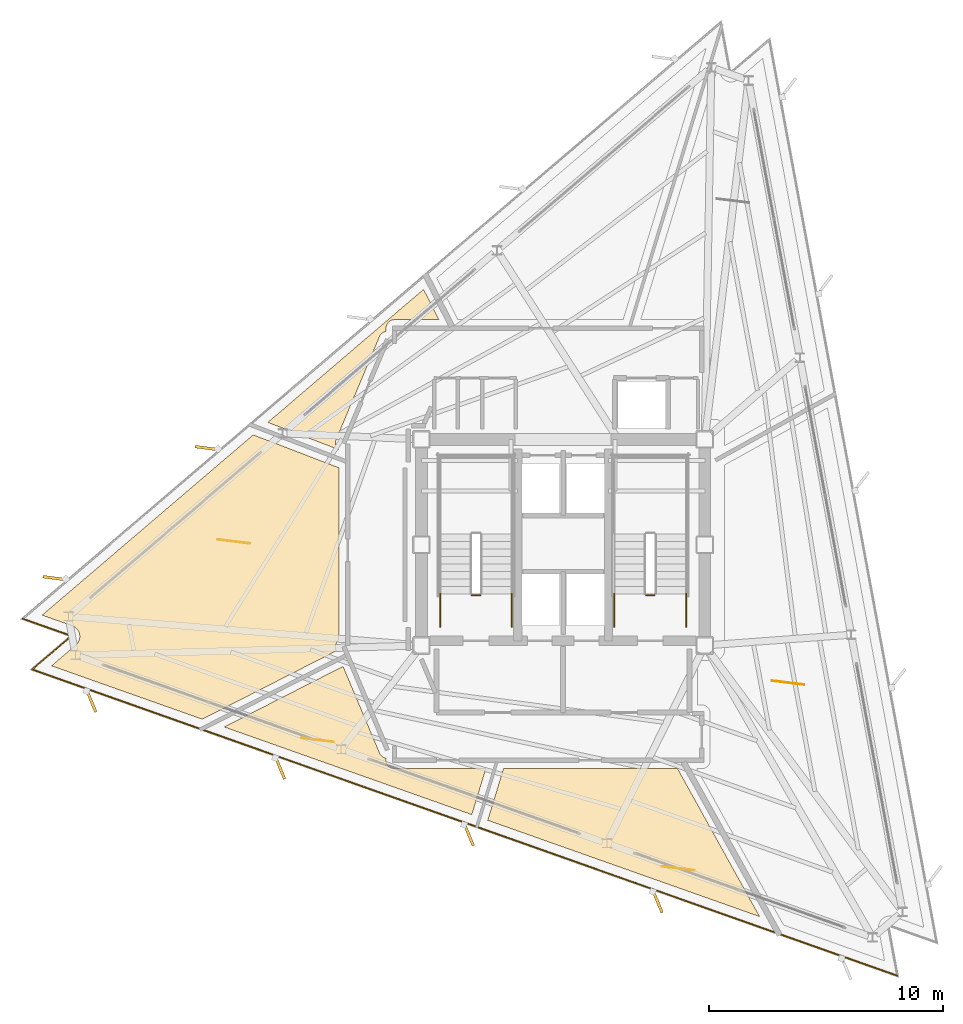
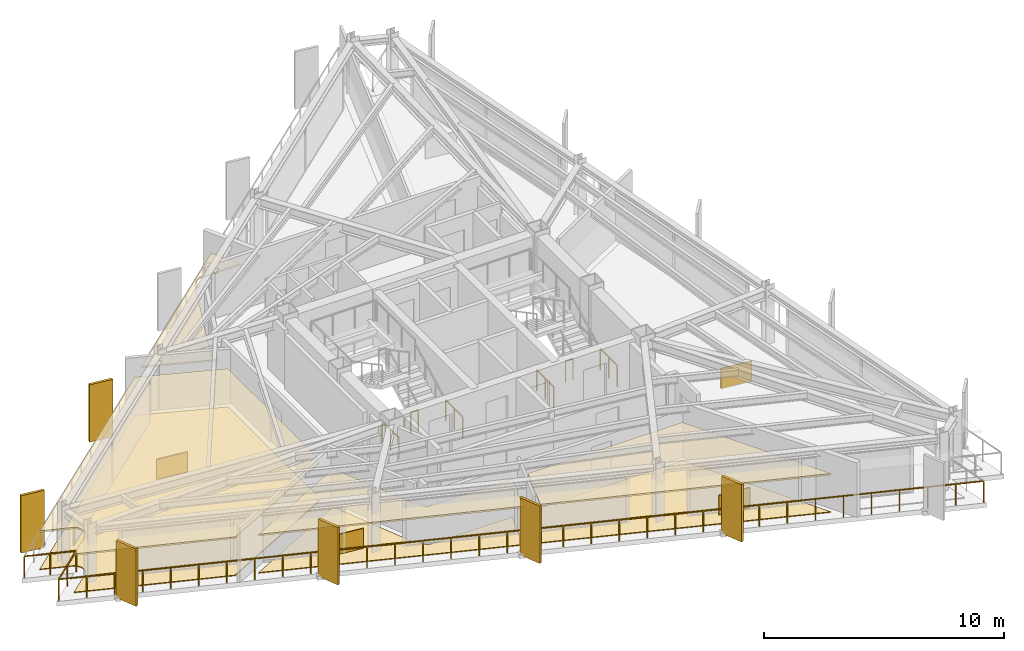
# One storey, part 11 of 14: 11 coverings, 7 railings, 6 shading devices.
"""IFC4 building model written with IfcOpenShell, lengths in metres."""

from ifc_helpers import new_model, si_unit, direction, frame, origin, origin_2d, place, context, subcontext, project, spatial, polyline, rectangle, outline, extrude, material, layer, layer_set, type_object, element, save


model = new_model("IFC4")

# Units and contexts
model_context = context("Model", 3, precision=1e-05, world=origin(), true_north=direction((0.0, 1.0)))
body_context = subcontext(model_context, "Body", "Model", "MODEL_VIEW")
ifc_project = project(units=[si_unit("LENGTHUNIT", "METRE"), si_unit("AREAUNIT", "SQUARE_METRE"), si_unit("VOLUMEUNIT", "CUBIC_METRE"), si_unit("PLANEANGLEUNIT", "RADIAN"), si_unit("MASSUNIT", "GRAM", prefix="KILO")], contexts=[model_context])

# Site, building, storey
site_placement = place(None, origin())
site = spatial("IfcSite", under=ifc_project, at=site_placement, CompositionType="ELEMENT")
building_placement = place(site_placement, origin())
building = spatial("IfcBuilding", under=site, at=building_placement, Name="Rocaltana Carrier Exchange", CompositionType="ELEMENT")
storey_placement = place(building_placement, frame((0.0, 0.0, 181.43994140625)))
storey = spatial("IfcBuildingStorey", under=building, at=storey_placement, Name="L57", CompositionType="ELEMENT", Elevation=181.43994140625)

# Coverings
ifc_material_1 = material(Name="Honed Bogota Sandstone Tile", Category="masonry")
ifc_layer_1 = layer(ifc_material_1, 0.0400390625)
ifc_layer_set_1 = layer_set([ifc_layer_1], Name="Honed Bogota Sandstone Tile")
covering_type_1 = type_object("IfcCoveringType", Name="Honed Stone Lobby Flooring 40", PredefinedType="FLOORING", material=ifc_layer_set_1)
covering_1_placement = place(storey_placement, origin())
element("IfcCovering", 1, at=covering_1_placement, inside=storey, type_object=covering_type_1, Name="L57 Client Reception Foyer Finish Floor", PredefinedType="FLOORING", context=body_context, shape_type="SweptSolid", body=[
    extrude(outline(polyline([(-20.80615234375, -4.279052734375), (-20.795654296875, -4.269775390625), (-20.78125, -4.256103515625), (-20.761962890625, -4.23583984375), (-20.748779296875, -4.220703125), (-20.731689453125, -4.19873046875), (-20.72021484375, -4.1826171875), (-20.705078125, -4.158935546875), (-20.6953125, -4.1416015625), (-20.682861328125, -4.11669921875), (-20.6748046875, -4.098388671875), (-20.664794921875, -4.072265625), (-20.65869140625, -4.053466796875), (-20.6513671875, -4.0263671875), (-20.64697265625, -4.0068359375), (-20.642333984375, -3.9794921875), (-20.64013671875, -3.959716796875), (-20.63818359375, -3.931884765625), (-20.637939453125, -3.911865234375), (-20.638916015625, -3.8837890625), (-20.640625, -3.864013671875), (-20.644287109375, -3.83642578125), (-20.64794921875, -3.81689453125), (-20.654296875, -3.78955078125), (-20.659912109375, -3.7705078125), (-20.6689453125, -3.744140625), (-20.676513671875, -3.7255859375), (-20.688232421875, -3.7001953125), (-20.697509765625, -3.6826171875), (-20.711669921875, -3.658447265625), (-20.72265625, -3.641845703125), (-20.739013671875, -3.619384765625), (-20.751708984375, -3.60400390625), (-20.770263671875, -3.5830078125), (-20.7841796875, -3.569091796875), (-20.804931640625, -3.55029296875), (-20.8203125, -3.53759765625), (-20.8427734375, -3.520751953125), (-20.859375, -3.509765625), (-20.88330078125, -3.495361328125), (-20.90087890625, -3.486083984375), (-20.926025390625, -3.47412109375), (-20.944580078125, -3.466552734375), (-20.95751953125, -3.46142578125), (-22.247802734375, -3.004638671875), (-13.2333984375, 4.694091796875), (-9.56005859375, 3.2841796875), (-9.56005859375, -4.052001953125), (-9.57177734375, -4.06005859375), (-9.578125, -4.064697265625), (-9.59912109375, -4.082275390625), (-9.60498046875, -4.087646484375), (-9.624267578125, -4.107177734375), (-9.629638671875, -4.113037109375), (-9.64697265625, -4.134521484375), (-9.651611328125, -4.140625), (-9.666748046875, -4.16357421875), (-9.670654296875, -4.17041015625), (-9.68359375, -4.194580078125), (-9.686767578125, -4.201904296875), (-9.697265625, -4.227294921875), (-9.69970703125, -4.234619140625), (-9.70751953125, -4.260986328125), (-9.70947265625, -4.2685546875), (-9.714599609375, -4.295654296875), (-9.7158203125, -4.30322265625), (-9.718505859375, -4.330810546875), (-9.71875, -4.33837890625), (-9.718505859375, -4.365966796875), (-9.71826171875, -4.373779296875), (-9.71533203125, -4.401123046875), (-9.714111328125, -4.408935546875), (-9.70849609375, -4.435791015625), (-9.706787109375, -4.443603515625), (-9.698486328125, -4.4697265625), (-9.69580078125, -4.47705078125), (-9.69091796875, -4.489990234375), (-9.67578125, -4.52587890625), (-15.4091796875, -7.447509765625), (-21.8466796875, -5.167724609375), (-20.80615234375, -4.279052734375)])), origin(), (0.0, 0.0, 1.0), 0.0400390625),
])
covering_2_placement = place(storey_placement, origin())
element("IfcCovering", 2, at=covering_2_placement, inside=storey, type_object=covering_type_1, Name="L57 Staff Break Pantry Finish Floor", PredefinedType="FLOORING", context=body_context, shape_type="SweptSolid", body=[
    extrude(outline(polyline([(-14.4736328125, -7.77880859375), (-9.39599609375, -5.19140625), (-7.8408203125, -8.889892578125), (-7.835205078125, -8.90234375), (-7.831787109375, -8.909423828125), (-7.818603515625, -8.93359375), (-7.814697265625, -8.9404296875), (-7.79931640625, -8.963134765625), (-7.794677734375, -8.969482421875), (-7.777099609375, -8.990478515625), (-7.771728515625, -8.996337890625), (-7.752197265625, -9.015625), (-7.746337890625, -9.02099609375), (-7.72509765625, -9.038330078125), (-7.71875, -9.04296875), (-7.69580078125, -9.05810546875), (-7.68896484375, -9.06201171875), (-7.664794921875, -9.074951171875), (-7.65771484375, -9.078125), (-7.632080078125, -9.088623046875), (-7.624755859375, -9.09130859375), (-7.598388671875, -9.09912109375), (-7.5908203125, -9.100830078125), (-7.563720703125, -9.106201171875), (-7.56005859375, -9.106689453125), (-7.56005859375, -9.199951171875), (-7.559814453125, -9.213623046875), (-7.559326171875, -9.2216796875), (-7.556640625, -9.248779296875), (-7.555419921875, -9.256591796875), (-7.550048828125, -9.28369140625), (-7.548095703125, -9.291259765625), (-7.540283203125, -9.317626953125), (-7.53759765625, -9.324951171875), (-7.527099609375, -9.350341796875), (-7.523681640625, -9.357421875), (-7.5107421875, -9.381591796875), (-7.506591796875, -9.388427734375), (-7.491455078125, -9.4111328125), (-7.48681640625, -9.41748046875), (-7.46923828125, -9.438720703125), (-7.464111328125, -9.444580078125), (-7.444580078125, -9.464111328125), (-7.438720703125, -9.46923828125), (-7.41748046875, -9.48681640625), (-7.4111328125, -9.491455078125), (-7.388427734375, -9.506591796875), (-7.381591796875, -9.5107421875), (-7.357421875, -9.523681640625), (-7.350341796875, -9.527099609375), (-7.324951171875, -9.53759765625), (-7.317626953125, -9.540283203125), (-7.291259765625, -9.548095703125), (-7.28369140625, -9.550048828125), (-7.256591796875, -9.555419921875), (-7.248779296875, -9.556640625), (-7.2216796875, -9.559326171875), (-7.213623046875, -9.559814453125), (-7.199951171875, -9.56005859375), (-3.29931640625, -9.56005859375), (-3.8994140625, -11.523193359375), (-14.4736328125, -7.77880859375)])), origin(), (0.0, 0.0, 1.0), 0.0400390625),
])
covering_3_placement = place(storey_placement, origin())
element("IfcCovering", 3, at=covering_3_placement, inside=storey, type_object=covering_type_1, Name="L57 Client Reception Foyer Finish Floor", PredefinedType="FLOORING", context=body_context, shape_type="SweptSolid", body=[
    extrude(outline(polyline([(-3.22021484375, -11.763916015625), (-2.54638671875, -9.56005859375), (4.8876953125, -9.56005859375), (8.3876953125, -15.874267578125), (-3.22021484375, -11.763916015625)])), origin(), (0.0, 0.0, 1.0), 0.0400390625),
])
ifc_material_2 = material(Name="Anodised Aluminium 6063-T6", Category="aluminium")
ifc_layer_2 = layer(ifc_material_2, 0.0849609375)
ifc_layer_set_2 = layer_set([ifc_layer_2], Name="Anodised Aluminium 6063-T6")
covering_type_2 = type_object("IfcCoveringType", Name="Linear Baffle Acoustic Ceiling 85", PredefinedType="CEILING", material=ifc_layer_set_2)
covering_4_placement = place(storey_placement, frame((0.0, 0.0, 1.903076171875)))
element("IfcCovering", 4, at=covering_4_placement, inside=storey, type_object=covering_type_2, Name="L57 Client Reception Foyer Acoustic Ceiling", PredefinedType="CEILING", context=body_context, shape_type="SweptSolid", body=[
    extrude(outline(polyline([(-20.80615234375, -4.279052734375), (-20.795654296875, -4.269775390625), (-20.78125, -4.256103515625), (-20.761962890625, -4.23583984375), (-20.748779296875, -4.220703125), (-20.731689453125, -4.19873046875), (-20.72021484375, -4.1826171875), (-20.705078125, -4.158935546875), (-20.6953125, -4.1416015625), (-20.682861328125, -4.11669921875), (-20.6748046875, -4.098388671875), (-20.664794921875, -4.072265625), (-20.65869140625, -4.053466796875), (-20.6513671875, -4.0263671875), (-20.64697265625, -4.0068359375), (-20.642333984375, -3.9794921875), (-20.64013671875, -3.959716796875), (-20.63818359375, -3.931884765625), (-20.637939453125, -3.911865234375), (-20.638916015625, -3.8837890625), (-20.640625, -3.864013671875), (-20.644287109375, -3.83642578125), (-20.64794921875, -3.81689453125), (-20.654296875, -3.78955078125), (-20.659912109375, -3.7705078125), (-20.6689453125, -3.744140625), (-20.676513671875, -3.7255859375), (-20.688232421875, -3.7001953125), (-20.697509765625, -3.6826171875), (-20.711669921875, -3.658447265625), (-20.72265625, -3.641845703125), (-20.739013671875, -3.619384765625), (-20.751708984375, -3.60400390625), (-20.770263671875, -3.5830078125), (-20.7841796875, -3.569091796875), (-20.804931640625, -3.55029296875), (-20.8203125, -3.53759765625), (-20.8427734375, -3.520751953125), (-20.859375, -3.509765625), (-20.88330078125, -3.495361328125), (-20.90087890625, -3.486083984375), (-20.926025390625, -3.47412109375), (-20.944580078125, -3.466552734375), (-20.95751953125, -3.46142578125), (-22.247802734375, -3.004638671875), (-13.2333984375, 4.694091796875), (-9.56005859375, 3.2841796875), (-9.56005859375, -4.052001953125), (-9.57177734375, -4.06005859375), (-9.578125, -4.064697265625), (-9.59912109375, -4.082275390625), (-9.60498046875, -4.087646484375), (-9.624267578125, -4.107177734375), (-9.629638671875, -4.113037109375), (-9.64697265625, -4.134521484375), (-9.651611328125, -4.140625), (-9.666748046875, -4.16357421875), (-9.670654296875, -4.17041015625), (-9.68359375, -4.194580078125), (-9.686767578125, -4.201904296875), (-9.697265625, -4.227294921875), (-9.69970703125, -4.234619140625), (-9.70751953125, -4.260986328125), (-9.70947265625, -4.2685546875), (-9.714599609375, -4.295654296875), (-9.7158203125, -4.30322265625), (-9.718505859375, -4.330810546875), (-9.71875, -4.33837890625), (-9.718505859375, -4.365966796875), (-9.71826171875, -4.373779296875), (-9.71533203125, -4.401123046875), (-9.714111328125, -4.408935546875), (-9.70849609375, -4.435791015625), (-9.706787109375, -4.443603515625), (-9.698486328125, -4.4697265625), (-9.69580078125, -4.47705078125), (-9.69091796875, -4.489990234375), (-9.67578125, -4.52587890625), (-15.4091796875, -7.447509765625), (-21.8466796875, -5.167724609375), (-20.80615234375, -4.279052734375)])), origin(), (0.0, 0.0, 1.0), 0.0849609375),
])
covering_5_placement = place(storey_placement, frame((0.0, 0.0, 1.903076171875)))
element("IfcCovering", 5, at=covering_5_placement, inside=storey, type_object=covering_type_2, Name="L57 Staff Break Pantry Acoustic Ceiling", PredefinedType="CEILING", context=body_context, shape_type="SweptSolid", body=[
    extrude(outline(polyline([(-14.4736328125, -7.77880859375), (-9.39599609375, -5.19140625), (-7.8408203125, -8.889892578125), (-7.835205078125, -8.90234375), (-7.831787109375, -8.909423828125), (-7.818603515625, -8.93359375), (-7.814697265625, -8.9404296875), (-7.79931640625, -8.963134765625), (-7.794677734375, -8.969482421875), (-7.777099609375, -8.990478515625), (-7.771728515625, -8.996337890625), (-7.752197265625, -9.015625), (-7.746337890625, -9.02099609375), (-7.72509765625, -9.038330078125), (-7.71875, -9.04296875), (-7.69580078125, -9.05810546875), (-7.68896484375, -9.06201171875), (-7.664794921875, -9.074951171875), (-7.65771484375, -9.078125), (-7.632080078125, -9.088623046875), (-7.624755859375, -9.09130859375), (-7.598388671875, -9.09912109375), (-7.5908203125, -9.100830078125), (-7.563720703125, -9.106201171875), (-7.56005859375, -9.106689453125), (-7.56005859375, -9.199951171875), (-7.559814453125, -9.213623046875), (-7.559326171875, -9.2216796875), (-7.556640625, -9.248779296875), (-7.555419921875, -9.256591796875), (-7.550048828125, -9.28369140625), (-7.548095703125, -9.291259765625), (-7.540283203125, -9.317626953125), (-7.53759765625, -9.324951171875), (-7.527099609375, -9.350341796875), (-7.523681640625, -9.357421875), (-7.5107421875, -9.381591796875), (-7.506591796875, -9.388427734375), (-7.491455078125, -9.4111328125), (-7.48681640625, -9.41748046875), (-7.46923828125, -9.438720703125), (-7.464111328125, -9.444580078125), (-7.444580078125, -9.464111328125), (-7.438720703125, -9.46923828125), (-7.41748046875, -9.48681640625), (-7.4111328125, -9.491455078125), (-7.388427734375, -9.506591796875), (-7.381591796875, -9.5107421875), (-7.357421875, -9.523681640625), (-7.350341796875, -9.527099609375), (-7.324951171875, -9.53759765625), (-7.317626953125, -9.540283203125), (-7.291259765625, -9.548095703125), (-7.28369140625, -9.550048828125), (-7.256591796875, -9.555419921875), (-7.248779296875, -9.556640625), (-7.2216796875, -9.559326171875), (-7.213623046875, -9.559814453125), (-7.199951171875, -9.56005859375), (-3.29931640625, -9.56005859375), (-3.8994140625, -11.523193359375), (-14.4736328125, -7.77880859375)])), origin(), (0.0, 0.0, 1.0), 0.0849609375),
])
covering_6_placement = place(storey_placement, frame((0.0, 0.0, 1.903076171875)))
element("IfcCovering", 6, at=covering_6_placement, inside=storey, type_object=covering_type_2, Name="L57 Client Reception Foyer Acoustic Ceiling", PredefinedType="CEILING", context=body_context, shape_type="SweptSolid", body=[
    extrude(outline(polyline([(-3.22021484375, -11.763916015625), (-2.54638671875, -9.56005859375), (4.8876953125, -9.56005859375), (8.3876953125, -15.874267578125), (-3.22021484375, -11.763916015625)])), origin(), (0.0, 0.0, 1.0), 0.0849609375),
])
covering_7_placement = place(storey_placement, frame((0.0, 0.0, 1.903076171875)))
element("IfcCovering", 7, at=covering_7_placement, inside=storey, type_object=covering_type_2, Name="L57 Client Reception Foyer Acoustic Ceiling", PredefinedType="CEILING", context=body_context, shape_type="SweptSolid", body=[
    extrude(outline(polyline([(-9.571044921875, 4.0595703125), (-12.610595703125, 5.226318359375), (-5.960693359375, 10.90576171875), (-5.300537109375, 9.610107421875), (-7.199951171875, 9.610107421875), (-7.213623046875, 9.609619140625), (-7.2216796875, 9.609375), (-7.248779296875, 9.606689453125), (-7.256591796875, 9.60546875), (-7.28369140625, 9.60009765625), (-7.291259765625, 9.59814453125), (-7.317626953125, 9.590087890625), (-7.324951171875, 9.58740234375), (-7.350341796875, 9.576904296875), (-7.357421875, 9.57373046875), (-7.381591796875, 9.560791015625), (-7.388427734375, 9.556640625), (-7.4111328125, 9.54150390625), (-7.41748046875, 9.53662109375), (-7.438720703125, 9.519287109375), (-7.444580078125, 9.513916015625), (-7.464111328125, 9.49462890625), (-7.46923828125, 9.48876953125), (-7.48681640625, 9.467529296875), (-7.491455078125, 9.461181640625), (-7.506591796875, 9.4384765625), (-7.5107421875, 9.431640625), (-7.523681640625, 9.407470703125), (-7.527099609375, 9.400390625), (-7.53759765625, 9.375), (-7.540283203125, 9.36767578125), (-7.548095703125, 9.34130859375), (-7.550048828125, 9.33349609375), (-7.555419921875, 9.306640625), (-7.556640625, 9.298828125), (-7.559326171875, 9.271484375), (-7.559814453125, 9.263671875), (-7.56005859375, 9.25), (-7.56005859375, 9.106689453125), (-7.563720703125, 9.106201171875), (-7.5908203125, 9.100830078125), (-7.598388671875, 9.09912109375), (-7.624755859375, 9.09130859375), (-7.632080078125, 9.088623046875), (-7.65771484375, 9.078125), (-7.664794921875, 9.074951171875), (-7.68896484375, 9.06201171875), (-7.69580078125, 9.05810546875), (-7.71875, 9.04296875), (-7.72509765625, 9.038330078125), (-7.746337890625, 9.02099609375), (-7.752197265625, 9.015625), (-7.771728515625, 8.996337890625), (-7.777099609375, 8.990478515625), (-7.794677734375, 8.969482421875), (-7.79931640625, 8.963134765625), (-7.814697265625, 8.9404296875), (-7.818603515625, 8.93359375), (-7.831787109375, 8.909423828125), (-7.835205078125, 8.90234375), (-7.8408203125, 8.889892578125), (-9.69091796875, 4.489990234375), (-9.69580078125, 4.47705078125), (-9.698486328125, 4.4697265625), (-9.706787109375, 4.443603515625), (-9.70849609375, 4.435791015625), (-9.714111328125, 4.408935546875), (-9.71533203125, 4.401123046875), (-9.71826171875, 4.373779296875), (-9.718505859375, 4.365966796875), (-9.71875, 4.33837890625), (-9.718505859375, 4.330810546875), (-9.7158203125, 4.30322265625), (-9.714599609375, 4.295654296875), (-9.70947265625, 4.2685546875), (-9.70751953125, 4.260986328125), (-9.69970703125, 4.234619140625), (-9.697265625, 4.227294921875), (-9.686767578125, 4.201904296875), (-9.68359375, 4.194580078125), (-9.670654296875, 4.17041015625), (-9.666748046875, 4.16357421875), (-9.651611328125, 4.140625), (-9.64697265625, 4.134521484375), (-9.629638671875, 4.113037109375), (-9.624267578125, 4.107177734375), (-9.60498046875, 4.087646484375), (-9.59912109375, 4.082275390625), (-9.578125, 4.064697265625), (-9.57177734375, 4.06005859375), (-9.571044921875, 4.0595703125)])), origin(), (0.0, 0.0, 1.0), 0.0849609375),
])

# Railings
ifc_material_3 = material(Name="Powder-Coated Aluminium 6063-T6", Category="aluminium")
ifc_layer_3 = layer(ifc_material_3, 0.048095703125)
ifc_layer_set_3 = layer_set([ifc_layer_3], Name="Powder-Coated Aluminium 6063-T6")
railing_type_1 = type_object("IfcRailingType", Name="Stair Well Guardrail 1100", PredefinedType="GUARDRAIL", material=ifc_layer_set_3)
railing_1_placement = place(storey_placement, frame((-3.5400390625, -2.14990234375, 0.0)))
element("IfcRailing", 8, at=railing_1_placement, inside=storey, type_object=railing_type_1, Name="L57 ST-1 stair guard 7", PredefinedType="GUARDRAIL", context=body_context, shape_type="SweptSolid", body=[
    extrude(rectangle(XDim=0.048095703125, YDim=0.048095703125, at=origin_2d()), frame((0.0, 0.0, 1.076171875), z_axis=(-1.0, 0.0, 0.0), x_axis=(0.0, -1.0, 0.0)), (0.0, 0.0, 1.0), 0.35986328125),
    extrude(rectangle(XDim=0.0419921875, YDim=0.0419921875, at=origin_2d()), origin(), (0.0, 0.0, 1.0), 1.052001953125),
    extrude(rectangle(XDim=0.0419921875, YDim=0.0419921875, at=origin_2d()), frame((-0.35986328125, 0.0, 0.0)), (0.0, 0.0, 1.0), 1.052001953125),
])
for number, where, name in (
    (9, (-2.18994140625, -3.5, 0.0), "L57 ST-1 stair guard 8"),
    (10, (-5.25, -3.5, 0.0), "L57 ST-1 stair guard 9"),
):
    element("IfcRailing", number, at=place(storey_placement, frame(where)), inside=storey, type_object=railing_type_1, Name=name, PredefinedType="GUARDRAIL", context=body_context, shape_type="SweptSolid", body=[
        extrude(rectangle(XDim=0.048095703125, YDim=0.048095703125, at=origin_2d()), frame((0.0, 0.0, 1.076171875), z_axis=(0.0, 1.0, 0.0), x_axis=(-1.0, 0.0, 0.0)), (0.0, 0.0, 1.0), 1.39990234375),
        extrude(rectangle(XDim=0.0419921875, YDim=0.0419921875, at=origin_2d()), origin(), (0.0, 0.0, 1.0), 1.052001953125),
        extrude(rectangle(XDim=0.0419921875, YDim=0.0419921875, at=origin_2d()), frame((0.0, 0.699951171875, 0.0)), (0.0, 0.0, 1.0), 1.052001953125),
        extrude(rectangle(XDim=0.0419921875, YDim=0.0419921875, at=origin_2d()), frame((0.0, 1.39990234375, 0.0)), (0.0, 0.0, 1.0), 1.052001953125),
    ])
railing_2_placement = place(storey_placement, frame((3.89990234375, -2.14990234375, 0.0)))
element("IfcRailing", 11, at=railing_2_placement, inside=storey, type_object=railing_type_1, Name="L57 ST-2 stair guard 7", PredefinedType="GUARDRAIL", context=body_context, shape_type="SweptSolid", body=[
    extrude(rectangle(XDim=0.048095703125, YDim=0.048095703125, at=origin_2d()), frame((0.0, 0.0, 1.076171875), z_axis=(-1.0, 0.0, 0.0), x_axis=(0.0, -1.0, 0.0)), (0.0, 0.0, 1.0), 0.35986328125),
    extrude(rectangle(XDim=0.0419921875, YDim=0.0419921875, at=origin_2d()), origin(), (0.0, 0.0, 1.0), 1.052001953125),
    extrude(rectangle(XDim=0.0419921875, YDim=0.0419921875, at=origin_2d()), frame((-0.35986328125, 0.0, 0.0)), (0.0, 0.0, 1.0), 1.052001953125),
])
for number, where, name in (
    (12, (5.25, -3.5, 0.0), "L57 ST-2 stair guard 8"),
    (13, (2.18994140625, -3.5, 0.0), "L57 ST-2 stair guard 9"),
):
    element("IfcRailing", number, at=place(storey_placement, frame(where)), inside=storey, type_object=railing_type_1, Name=name, PredefinedType="GUARDRAIL", context=body_context, shape_type="SweptSolid", body=[
        extrude(rectangle(XDim=0.048095703125, YDim=0.048095703125, at=origin_2d()), frame((0.0, 0.0, 1.076171875), z_axis=(0.0, 1.0, 0.0), x_axis=(-1.0, 0.0, 0.0)), (0.0, 0.0, 1.0), 1.39990234375),
        extrude(rectangle(XDim=0.0419921875, YDim=0.0419921875, at=origin_2d()), origin(), (0.0, 0.0, 1.0), 1.052001953125),
        extrude(rectangle(XDim=0.0419921875, YDim=0.0419921875, at=origin_2d()), frame((0.0, 0.699951171875, 0.0)), (0.0, 0.0, 1.0), 1.052001953125),
        extrude(rectangle(XDim=0.0419921875, YDim=0.0419921875, at=origin_2d()), frame((0.0, 1.39990234375, 0.0)), (0.0, 0.0, 1.0), 1.052001953125),
    ])

# Coverings
ifc_material_4 = material(Name="Honed Piedra Muneca Sandstone", Category="masonry")
ifc_layer_4 = layer(ifc_material_4, 0.034912109375)
ifc_layer_set_4 = layer_set([ifc_layer_4], Name="Honed Piedra Muneca Sandstone")
covering_type_3 = type_object("IfcCoveringType", Name="Stone Facade Cladding 35", PredefinedType="CLADDING", material=ifc_layer_set_4)
for number, where, z_axis, x_axis, name in (
    (14, (-14.06298828125, 0.1396484375, 0.0), (0.0, 0.0, 1.0), (-0.992546151641, 0.121869343405, 0.0), "L57 Stone Facade Cladding Panel 1"),
    (15, (-10.489501953125, -8.334228515625, 0.0), (0.0, 0.0, 1.0), (-0.992546151641, 0.121869343405, 0.0), "L57 Stone Facade Cladding Panel 2"),
    (16, (4.916015625, -13.819091796875, 0.0), (0.0, 0.0, 1.0), (-0.992546151641, 0.121869343405, 0.0), "L57 Stone Facade Cladding Panel 3"),
    (17, (9.601318359375, -5.889892578125, 0.0), (0.0, 0.0, 1.0), (-0.992546151641, 0.121869343405, 0.0), "L57 Stone Facade Cladding Panel 4"),
):
    element("IfcCovering", number, at=place(storey_placement, frame(where, z_axis=z_axis, x_axis=x_axis)), inside=storey, type_object=covering_type_3, Name=name, PredefinedType="CLADDING", context=body_context, shape_type="SweptSolid", body=[
        extrude(rectangle(XDim=1.39990234375, YDim=0.034912109375, at=origin_2d()), origin(), (0.0, 0.0, 1.0), 1.050048828125),
    ])

# Shading devices
ifc_material_5 = material(Name="Honed Bogota Sandstone & Concrete C45/55", Category="masonry")
ifc_layer_5 = layer(ifc_material_5, 0.1201171875)
ifc_layer_set_5 = layer_set([ifc_layer_5], Name="Honed Bogota Sandstone & Concrete C45/55")
shading_device_type = type_object("IfcShadingDeviceType", Name="Upper Sandstone Shading Fin 1050x120", PredefinedType="USERDEFINED", material=ifc_layer_set_5)
for number, where, z_axis, x_axis, name in (
    (18, (-15.19384765625, 4.125, -0.119873046875), (0.0, 0.0, 1.0), (-0.991444861374, 0.13052619222, 0.0), "L57 Sandstone Vertical Fin F2-04"),
    (19, (-21.6953125, -1.427734375, -0.119873046875), (0.0, 0.0, 1.0), (-0.991444861374, 0.13052619222, 0.0), "L57 Sandstone Vertical Fin F2-05"),
    (20, (-20.154296875, -6.65869140625, -0.119873046875), (0.0, 0.0, 1.0), (0.382683432365, -0.923879532511, 0.0), "L57 Sandstone Vertical Fin F3-01"),
    (21, (-12.094482421875, -9.5126953125, -0.119873046875), (0.0, 0.0, 1.0), (0.382683432365, -0.923879532511, 0.0), "L57 Sandstone Vertical Fin F3-02"),
    (22, (-4.034912109375, -12.36669921875, -0.119873046875), (0.0, 0.0, 1.0), (0.382683432365, -0.923879532511, 0.0), "L57 Sandstone Vertical Fin F3-03"),
    (23, (4.0244140625, -15.220947265625, -0.119873046875), (0.0, 0.0, 1.0), (0.382683432365, -0.923879532511, 0.0), "L57 Sandstone Vertical Fin F3-04"),
):
    element("IfcShadingDevice", number, at=place(storey_placement, frame(where, z_axis=z_axis, x_axis=x_axis)), inside=storey, type_object=shading_device_type, Name=name, ObjectType="FIN", PredefinedType="USERDEFINED", context=body_context, shape_type="SweptSolid", body=[
        extrude(rectangle(XDim=1.050048828125, YDim=0.1201171875, at=origin_2d()), origin(), (0.0, 0.0, 1.0), 2.91796875),
    ])

# Railing
ifc_material_6 = material(Name="Powder-Coated Aluminium 6063-T6", Category="aluminium")
ifc_layer_6 = layer(ifc_material_6, 0.06005859375)
ifc_layer_set_6 = layer_set([ifc_layer_6], Name="Powder-Coated Aluminium 6063-T6")
railing_type_2 = type_object("IfcRailingType", Name="Wind-Floor & Terrace Perimeter Guardrail 1100", PredefinedType="GUARDRAIL", material=ifc_layer_set_6)
railing_3_placement = place(storey_placement, frame((14.271484375, -18.403564453125, 0.0)))
element("IfcRailing", 24, at=railing_3_placement, inside=storey, type_object=railing_type_2, Name="L57 Perimeter Balcony Guardrail 1", PredefinedType="GUARDRAIL", context=body_context, shape_type="SweptSolid", body=[
    extrude(rectangle(XDim=0.048095703125, YDim=0.048095703125, at=origin_2d()), frame((0.0, 0.0, 1.076171875), z_axis=(-0.94264008911, 0.333810818284, 0.0), x_axis=(-0.333810818284, -0.94264008911, 0.0)), (0.0, 0.0, 1.0), 39.192138671875),
    extrude(rectangle(XDim=0.048095703125, YDim=0.048095703125, at=origin_2d()), frame((-36.944091796875, 13.082763671875, 1.076171875), z_axis=(0.760414781346, 0.649437726275, 0.0), x_axis=(-0.649437726275, 0.760414781346, 0.0)), (0.0, 0.0, 1.0), 2.199951171875),
    extrude(rectangle(XDim=0.048095703125, YDim=0.048095703125, at=origin_2d()), frame((-35.271240234375, 14.511474609375, 1.076171875), z_axis=(-0.942637410797, 0.333818381408, 0.0), x_axis=(-0.333818381408, -0.942637410797, 0.0)), (0.0, 0.0, 1.0), 2.199951171875),
    extrude(rectangle(XDim=0.0419921875, YDim=0.0419921875, at=origin_2d()), origin(), (0.0, 0.0, 1.0), 1.052001953125),
    extrude(rectangle(XDim=0.0419921875, YDim=0.0419921875, at=origin_2d()), frame((-1.11962890625, 0.396484375, 0.0)), (0.0, 0.0, 1.0), 1.052001953125),
    extrude(rectangle(XDim=0.0419921875, YDim=0.0419921875, at=origin_2d()), frame((-2.239013671875, 0.79296875, 0.0)), (0.0, 0.0, 1.0), 1.052001953125),
    extrude(rectangle(XDim=0.0419921875, YDim=0.0419921875, at=origin_2d()), frame((-3.358642578125, 1.189453125, 0.0)), (0.0, 0.0, 1.0), 1.052001953125),
    extrude(rectangle(XDim=0.0419921875, YDim=0.0419921875, at=origin_2d()), frame((-4.47802734375, 1.585693359375, 0.0)), (0.0, 0.0, 1.0), 1.052001953125),
    extrude(rectangle(XDim=0.0419921875, YDim=0.0419921875, at=origin_2d()), frame((-5.59765625, 1.982177734375, 0.0)), (0.0, 0.0, 1.0), 1.052001953125),
    extrude(rectangle(XDim=0.0419921875, YDim=0.0419921875, at=origin_2d()), frame((-6.717041015625, 2.378662109375, 0.0)), (0.0, 0.0, 1.0), 1.052001953125),
    extrude(rectangle(XDim=0.0419921875, YDim=0.0419921875, at=origin_2d()), frame((-7.836669921875, 2.775146484375, 0.0)), (0.0, 0.0, 1.0), 1.052001953125),
    extrude(rectangle(XDim=0.0419921875, YDim=0.0419921875, at=origin_2d()), frame((-8.9560546875, 3.171630859375, 0.0)), (0.0, 0.0, 1.0), 1.052001953125),
    extrude(rectangle(XDim=0.0419921875, YDim=0.0419921875, at=origin_2d()), frame((-10.07568359375, 3.568115234375, 0.0)), (0.0, 0.0, 1.0), 1.052001953125),
    extrude(rectangle(XDim=0.0419921875, YDim=0.0419921875, at=origin_2d()), frame((-11.195068359375, 3.96435546875, 0.0)), (0.0, 0.0, 1.0), 1.052001953125),
    extrude(rectangle(XDim=0.0419921875, YDim=0.0419921875, at=origin_2d()), frame((-12.314697265625, 4.36083984375, 0.0)), (0.0, 0.0, 1.0), 1.052001953125),
    extrude(rectangle(XDim=0.0419921875, YDim=0.0419921875, at=origin_2d()), frame((-13.434326171875, 4.75732421875, 0.0)), (0.0, 0.0, 1.0), 1.052001953125),
    extrude(rectangle(XDim=0.0419921875, YDim=0.0419921875, at=origin_2d()), frame((-14.5537109375, 5.15380859375, 0.0)), (0.0, 0.0, 1.0), 1.052001953125),
    extrude(rectangle(XDim=0.0419921875, YDim=0.0419921875, at=origin_2d()), frame((-15.67333984375, 5.55029296875, 0.0)), (0.0, 0.0, 1.0), 1.052001953125),
    extrude(rectangle(XDim=0.0419921875, YDim=0.0419921875, at=origin_2d()), frame((-16.792724609375, 5.94677734375, 0.0)), (0.0, 0.0, 1.0), 1.052001953125),
    extrude(rectangle(XDim=0.0419921875, YDim=0.0419921875, at=origin_2d()), frame((-17.912353515625, 6.34326171875, 0.0)), (0.0, 0.0, 1.0), 1.052001953125),
    extrude(rectangle(XDim=0.0419921875, YDim=0.0419921875, at=origin_2d()), frame((-19.03173828125, 6.739501953125, 0.0)), (0.0, 0.0, 1.0), 1.052001953125),
    extrude(rectangle(XDim=0.0419921875, YDim=0.0419921875, at=origin_2d()), frame((-20.1513671875, 7.135986328125, 0.0)), (0.0, 0.0, 1.0), 1.052001953125),
    extrude(rectangle(XDim=0.0419921875, YDim=0.0419921875, at=origin_2d()), frame((-21.270751953125, 7.532470703125, 0.0)), (0.0, 0.0, 1.0), 1.052001953125),
    extrude(rectangle(XDim=0.0419921875, YDim=0.0419921875, at=origin_2d()), frame((-22.390380859375, 7.928955078125, 0.0)), (0.0, 0.0, 1.0), 1.052001953125),
    extrude(rectangle(XDim=0.0419921875, YDim=0.0419921875, at=origin_2d()), frame((-23.509765625, 8.325439453125, 0.0)), (0.0, 0.0, 1.0), 1.052001953125),
    extrude(rectangle(XDim=0.0419921875, YDim=0.0419921875, at=origin_2d()), frame((-24.62939453125, 8.721923828125, 0.0)), (0.0, 0.0, 1.0), 1.052001953125),
    extrude(rectangle(XDim=0.0419921875, YDim=0.0419921875, at=origin_2d()), frame((-25.7490234375, 9.118408203125, 0.0)), (0.0, 0.0, 1.0), 1.052001953125),
    extrude(rectangle(XDim=0.0419921875, YDim=0.0419921875, at=origin_2d()), frame((-26.868408203125, 9.5146484375, 0.0)), (0.0, 0.0, 1.0), 1.052001953125),
    extrude(rectangle(XDim=0.0419921875, YDim=0.0419921875, at=origin_2d()), frame((-27.988037109375, 9.9111328125, 0.0)), (0.0, 0.0, 1.0), 1.052001953125),
    extrude(rectangle(XDim=0.0419921875, YDim=0.0419921875, at=origin_2d()), frame((-29.107421875, 10.3076171875, 0.0)), (0.0, 0.0, 1.0), 1.052001953125),
    extrude(rectangle(XDim=0.0419921875, YDim=0.0419921875, at=origin_2d()), frame((-30.22705078125, 10.7041015625, 0.0)), (0.0, 0.0, 1.0), 1.052001953125),
    extrude(rectangle(XDim=0.0419921875, YDim=0.0419921875, at=origin_2d()), frame((-31.346435546875, 11.1005859375, 0.0)), (0.0, 0.0, 1.0), 1.052001953125),
    extrude(rectangle(XDim=0.0419921875, YDim=0.0419921875, at=origin_2d()), frame((-32.466064453125, 11.4970703125, 0.0)), (0.0, 0.0, 1.0), 1.052001953125),
    extrude(rectangle(XDim=0.0419921875, YDim=0.0419921875, at=origin_2d()), frame((-33.58544921875, 11.893310546875, 0.0)), (0.0, 0.0, 1.0), 1.052001953125),
    extrude(rectangle(XDim=0.0419921875, YDim=0.0419921875, at=origin_2d()), frame((-34.705078125, 12.289794921875, 0.0)), (0.0, 0.0, 1.0), 1.052001953125),
    extrude(rectangle(XDim=0.0419921875, YDim=0.0419921875, at=origin_2d()), frame((-35.824462890625, 12.686279296875, 0.0)), (0.0, 0.0, 1.0), 1.052001953125),
    extrude(rectangle(XDim=0.0419921875, YDim=0.0419921875, at=origin_2d()), frame((-36.944091796875, 13.082763671875, 0.0)), (0.0, 0.0, 1.0), 1.052001953125),
    extrude(rectangle(XDim=0.0419921875, YDim=0.0419921875, at=origin_2d()), frame((-36.107666015625, 13.797119140625, 0.0)), (0.0, 0.0, 1.0), 1.052001953125),
    extrude(rectangle(XDim=0.0419921875, YDim=0.0419921875, at=origin_2d()), frame((-35.271240234375, 14.511474609375, 0.0)), (0.0, 0.0, 1.0), 1.052001953125),
    extrude(rectangle(XDim=0.0419921875, YDim=0.0419921875, at=origin_2d()), frame((-36.30810546875, 14.878662109375, 0.0)), (0.0, 0.0, 1.0), 1.052001953125),
    extrude(rectangle(XDim=0.0419921875, YDim=0.0419921875, at=origin_2d()), frame((-37.344970703125, 15.245849609375, 0.0)), (0.0, 0.0, 1.0), 1.052001953125),
])

save(model, "model.ifc")
